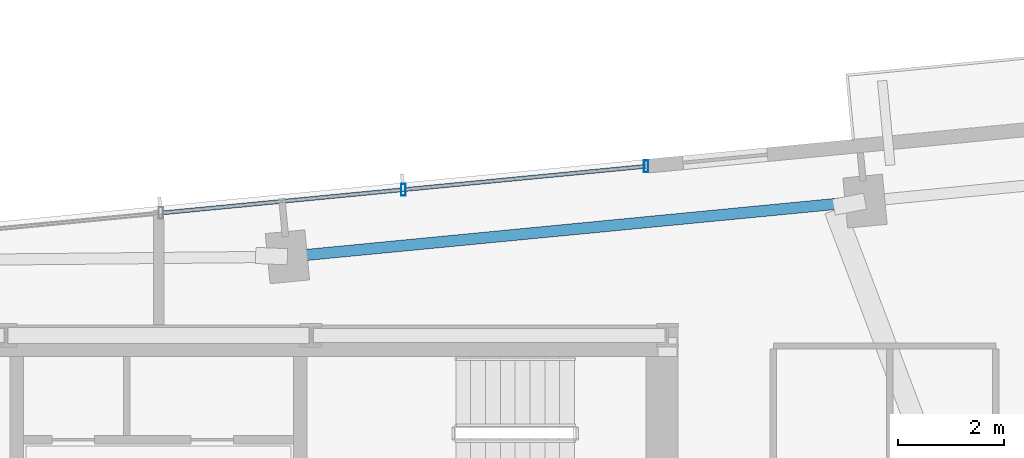
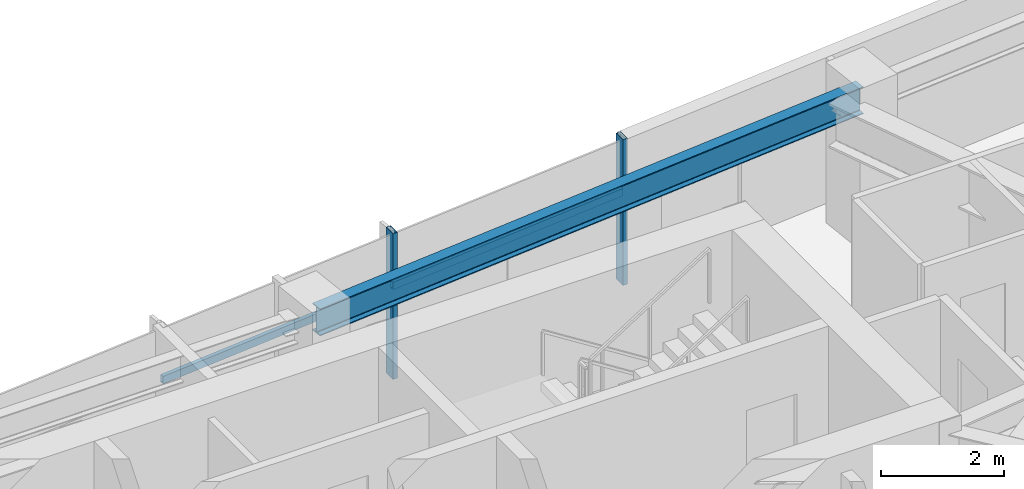
# One storey, part 7 of 18: 4 members, 1 beam, 1 element without a shape of its own.
"""IFC4 building model written with IfcOpenShell, lengths in metres."""

from ifc_helpers import new_model, si_unit, direction, frame, origin, origin_2d, place, context, subcontext, project, spatial, hollow_rectangle, i_section, extrude, source, transform, mapped, material, material_profile, profile_set, type_object, type_shapes, element, aggregate, save


model = new_model("IFC4")

# Units and contexts
model_context = context("Model", 3, precision=1e-05, world=origin(), true_north=direction((0.0, 1.0)))
body_context = subcontext(model_context, "Body", "Model", "MODEL_VIEW")
ifc_project = project(units=[si_unit("LENGTHUNIT", "METRE"), si_unit("AREAUNIT", "SQUARE_METRE"), si_unit("VOLUMEUNIT", "CUBIC_METRE"), si_unit("PLANEANGLEUNIT", "RADIAN"), si_unit("MASSUNIT", "GRAM", prefix="KILO")], contexts=[model_context])

# Site, building, storey
site_placement = place(None, origin())
site = spatial("IfcSite", under=ifc_project, at=site_placement, CompositionType="ELEMENT")
building_placement = place(site_placement, origin())
building = spatial("IfcBuilding", under=site, at=building_placement, Name="Astriad Promenade Condominiums", CompositionType="ELEMENT")
storey_placement = place(building_placement, frame((0.0, 0.0, 208.199951171875)))
storey = spatial("IfcBuildingStorey", under=building, at=storey_placement, Name="L60", CompositionType="ELEMENT", Elevation=208.199951171875)

# Beam
ifc_material_1 = material(Name="Steel ASTM A992 Grade 50", Category="steel")
ifc_material_profile_1 = material_profile(ifc_material_1, i_section(OverallWidth=0.210693359375, OverallDepth=0.53955078125, WebThickness=0.01171875, FlangeThickness=0.018798828125, FilletRadius=0.0166015625, at=origin_2d()), Name="W21X73")
ifc_profile_set_1 = profile_set([ifc_material_profile_1], Name="Steel ASTM A992 Grade 50")
beam_type = type_object("IfcBeamType", Name="STEEL SPANDREL BEAM W21X73", PredefinedType="SPANDREL", material=ifc_profile_set_1)
shared_shape_1 = source(origin(), body_context, "Body", "SweptSolid", [
    extrude(i_section(OverallWidth=0.210693359375, OverallDepth=0.53955078125, WebThickness=0.01171875, FlangeThickness=0.018798828125, FilletRadius=0.0166015625, at=origin_2d()), origin(), (0.0, 0.0, 1.0), 10.869873046875),
])
type_shapes(beam_type, [shared_shape_1])
beam_placement = place(storey_placement, frame((49.291015625, 26.52880859375, 2.63037109375), z_axis=(-0.995394779798, -0.09586048378, 0.0), x_axis=(0.09586048378, -0.995394779798, 0.0)))
element("IfcBeam", 1, at=beam_placement, inside=storey, type_object=beam_type, Name="Perimeter Spandrel Beam SP-N3-L60", PredefinedType="SPANDREL", context=body_context, shape_type="MappedRepresentation", body=[
    mapped(shared_shape_1, transform((0.0, 0.0, 0.0), scale=1.0)),
])

# Curtain wall, members
ifc_material_2 = material(Name="Anodised aluminium Black Dark Glass Unitised", Category="aluminium")
curtain_wall_type = type_object("IfcCurtainWallType", Name="CW-B34-DARK", PredefinedType="USERDEFINED", material=ifc_material_2)
curtain_wall_placement = place(storey_placement, origin())
curtain_wall = element("IfcCurtainWall", 2, at=curtain_wall_placement, inside=storey, type_object=curtain_wall_type, Name="CW-L60-N", ObjectType="UNITISED_CURTAIN_WALL", PredefinedType="USERDEFINED")
ifc_material_3 = material(Name="Anodised aluminium 6063-T6 Black", Category="aluminium")
ifc_material_profile_2 = material_profile(ifc_material_3, hollow_rectangle(XDim=0.074951171875, YDim=0.14990234375, WallThickness=0.004150390625, at=origin_2d()), Name="ALU-TRN-75X150")
ifc_profile_set_2 = profile_set([ifc_material_profile_2], Name="Anodised aluminium 6063-T6 Black")
member_type_1 = type_object("IfcMemberType", Name="TRN-ALU-TRN-75X150", PredefinedType="USERDEFINED", material=ifc_profile_set_2)
shared_shape_2 = source(origin(), body_context, "Body", "SweptSolid", [
    extrude(hollow_rectangle(XDim=0.074951171875, YDim=0.14990234375, WallThickness=0.004150390625, at=origin_2d()), origin(), (0.0, 0.0, 1.0), 4.60009765625),
])
type_shapes(member_type_1, [shared_shape_2])
member_1_placement = place(storey_placement, frame((36.041259765625, 26.307861328125, 1.798095703125), z_axis=(0.995395697572, 0.095850953336, 0.0), x_axis=(-0.095850953336, 0.995395697572, 0.0)))
member_1 = element("IfcMember", 3, at=member_1_placement, type_object=member_type_1, Name="CW-L60-N-TRN-01-0", ObjectType="TRANSOM", PredefinedType="USERDEFINED", context=body_context, shape_type="MappedRepresentation", body=[
    mapped(shared_shape_2, transform((0.0, 0.0, 0.0), scale=1.0)),
])
member_2_placement = place(storey_placement, frame((40.6201171875, 26.748779296875, 1.798095703125), z_axis=(0.995395697572, 0.095850953336, 0.0), x_axis=(-0.095850953336, 0.995395697572, 0.0)))
member_2 = element("IfcMember", 4, at=member_2_placement, type_object=member_type_1, Name="CW-L60-N-TRN-02-0", ObjectType="TRANSOM", PredefinedType="USERDEFINED", context=body_context, shape_type="MappedRepresentation", body=[
    mapped(shared_shape_2, transform((0.0, 0.0, 0.0), scale=1.0)),
])
ifc_material_profile_3 = material_profile(ifc_material_3, hollow_rectangle(XDim=0.0849609375, YDim=0.219970703125, WallThickness=0.0048828125, at=origin_2d()), Name="ALU-MUL-85X220")
ifc_profile_set_3 = profile_set([ifc_material_profile_3], Name="Anodised aluminium 6063-T6 Black")
member_type_2 = type_object("IfcMemberType", Name="MUL-ALU-MUL-85X220", PredefinedType="MULLION", material=ifc_profile_set_3)
shared_shape_3 = source(origin(), body_context, "Body", "SweptSolid", [
    extrude(hollow_rectangle(XDim=0.0849609375, YDim=0.219970703125, WallThickness=0.0048828125, at=origin_2d()), origin(), (0.0, 0.0, 1.0), 2.900146484375),
])
type_shapes(member_type_2, [shared_shape_3])
member_3_placement = place(storey_placement, frame((40.6201171875, 26.748779296875, 0.0), z_axis=(0.0, 0.0, 1.0), x_axis=(1.0, 0.0, 0.0)))
member_3 = element("IfcMember", 5, at=member_3_placement, type_object=member_type_2, Name="CW-L60-N-MUL-02", PredefinedType="MULLION", context=body_context, shape_type="MappedRepresentation", body=[
    mapped(shared_shape_3, transform((0.0, 0.0, 0.0), scale=1.0)),
])
member_4_placement = place(storey_placement, frame((45.198974609375, 27.189697265625, 0.0), z_axis=(0.0, 0.0, 1.0), x_axis=(1.0, 0.0, 0.0)))
member_4 = element("IfcMember", 6, at=member_4_placement, type_object=member_type_2, Name="CW-L60-N-MUL-03", PredefinedType="MULLION", context=body_context, shape_type="MappedRepresentation", body=[
    mapped(shared_shape_3, transform((0.0, 0.0, 0.0), scale=1.0)),
])
aggregate(curtain_wall, [member_3, member_4, member_1, member_2])

save(model, "model.ifc")
